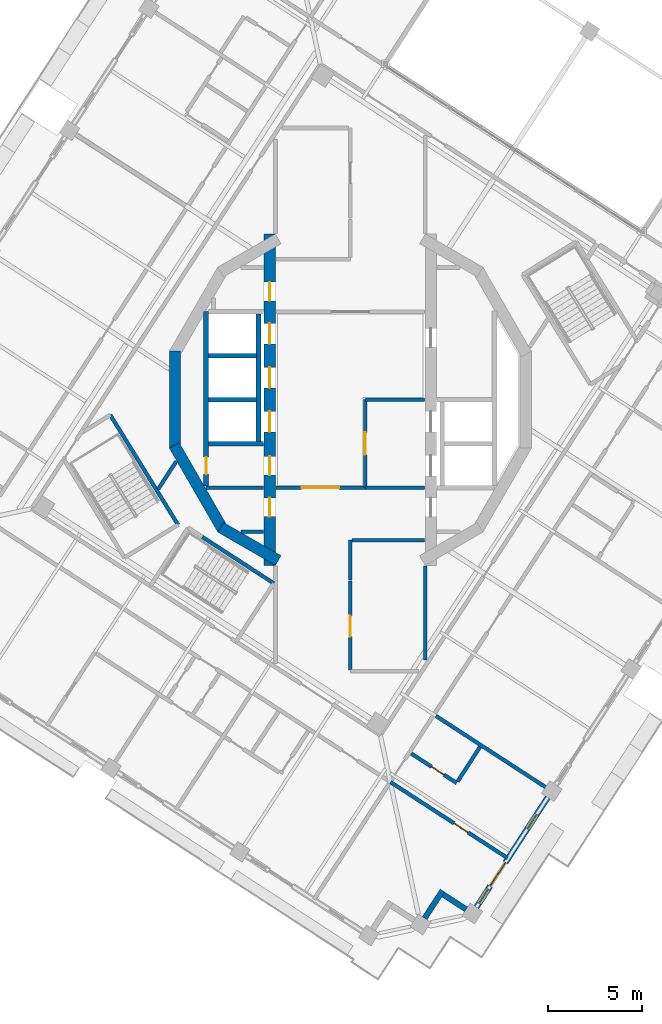
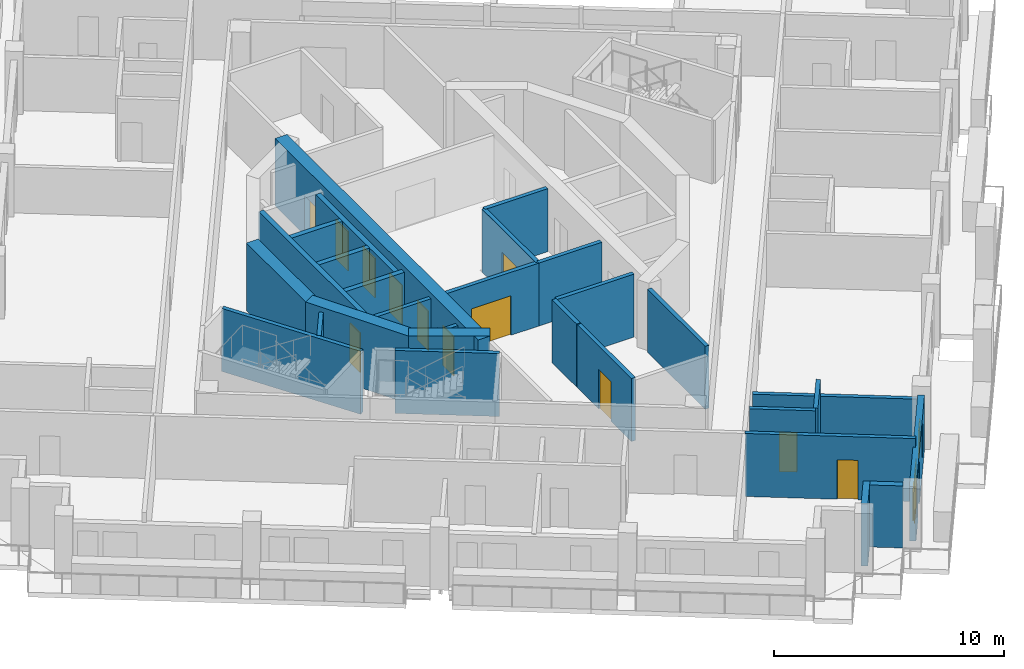
# One storey, part 7 of 17: 29 walls, 13 doors, 2 windows, 15 openings.
"""IFC4 building model written with IfcOpenShell, lengths in metres."""

from ifc_helpers import new_model, si_unit, direction, frame, frame_2d, origin, place, context, subcontext, project, spatial, rectangle, extrude, material, layer, layer_set, type_object, element, fill, save


model = new_model("IFC4")

# Units and contexts
model_context = context("Model", 3, precision=1e-05, world=origin(), true_north=direction((0.0, 1.0)))
body_context = subcontext(model_context, "Body", "Model", "MODEL_VIEW")
ifc_project = project(units=[si_unit("LENGTHUNIT", "METRE"), si_unit("AREAUNIT", "SQUARE_METRE"), si_unit("VOLUMEUNIT", "CUBIC_METRE"), si_unit("PLANEANGLEUNIT", "RADIAN"), si_unit("MASSUNIT", "GRAM", prefix="KILO")], contexts=[model_context])

# Site, building, storey
site_placement = place(None, origin())
site = spatial("IfcSite", under=ifc_project, at=site_placement, CompositionType="ELEMENT")
building_placement = place(site_placement, origin())
building = spatial("IfcBuilding", under=site, at=building_placement, Name="Cantera Rosa Tower", CompositionType="ELEMENT")
storey_placement = place(building_placement, frame((0.0, 0.0, 279.300048828125)))
storey = spatial("IfcBuildingStorey", under=building, at=storey_placement, Name="L63", CompositionType="ELEMENT", Elevation=279.300048828125)

# Wall, opening, door
ifc_material_1 = material(Name="Gypsum board partition")
ifc_layer_1 = layer(ifc_material_1, 0.199951171875)
ifc_layer_set_1 = layer_set([ifc_layer_1], Name="CORRIDOR WALL 200 H3350")
wall_type_1 = type_object("IfcWallType", Name="CORRIDOR WALL 200 H3350", PredefinedType="PARTITIONING", material=ifc_layer_set_1)
wall_1_placement = place(storey_placement, frame((0.0, -9.689208984375, 0.0), z_axis=(0.0, 0.0, 1.0), x_axis=(0.0, -1.0, 0.0)))
wall_1 = element("IfcWall", 1, at=wall_1_placement, inside=storey, type_object=wall_type_1, Name="CORRIDOR WALL L63-055", PredefinedType="PARTITIONING", context=body_context, shape_type="SweptSolid", body=[
    extrude(rectangle(XDim=4.730712890625, YDim=0.199951171875, at=frame_2d((2.365234375, 0.0))), origin(), (0.0, 0.0, 1.0), 3.349853515625),
])
opening_1_placement = place(wall_1_placement, frame((1.85546875, 0.0, 0.0)))
opening_1 = element("IfcOpeningElement", 2, at=opening_1_placement, cuts=wall_1, Name="Opening L63-014", PredefinedType="OPENING", context=body_context, shape_type="SweptSolid", body=[
    extrude(rectangle(XDim=1.10009765625, YDim=2.10009765625, at=frame_2d((0.550048828125, 1.050048828125))), frame((0.0, 0.10986328125, 0.0), z_axis=(0.0, -1.0, 0.0), x_axis=(1.0, 0.0, 0.0)), (0.0, 0.0, 1.0), 0.219970703125),
])
ifc_material_2 = material(Name="Timber door leaf", Category="wood")
door_type_1 = type_object("IfcDoorType", Name="ROOM DOOR 1100x2100", OperationType="NOTDEFINED", PredefinedType="DOOR", material=ifc_material_2)
door_1_placement = place(opening_1_placement, origin())
door_1 = element("IfcDoor", 3, at=door_1_placement, inside=storey, type_object=door_type_1, Name="DOOR L63-014", OperationType="NOTDEFINED", OverallHeight=2.10009765625, OverallWidth=1.10009765625, PredefinedType="DOOR", context=body_context, shape_type="SweptSolid", body=[
    extrude(rectangle(XDim=1.10009765625, YDim=2.10009765625, at=frame_2d((0.550048828125, 1.050048828125))), frame((0.0, 0.02490234375, 0.0), z_axis=(0.0, -1.0, 0.0), x_axis=(1.0, 0.0, 0.0)), (0.0, 0.0, 1.0), 0.050048828125),
])
fill(opening_1, door_1)

# Wall
wall_2_placement = place(storey_placement, frame((0.0, -7.5, 0.0), z_axis=(0.0, 0.0, 1.0), x_axis=(0.0, -1.0, 0.0)))
element("IfcWall", 4, at=wall_2_placement, inside=storey, type_object=wall_type_1, Name="CORRIDOR WALL L63-056", PredefinedType="PARTITIONING", context=body_context, shape_type="SweptSolid", body=[
    extrude(rectangle(XDim=2.12939453125, YDim=0.199951171875, at=frame_2d((1.064697265625, 0.0))), origin(), (0.0, 0.0, 1.0), 3.349853515625),
])

# Wall, opening, door
wall_3_placement = place(storey_placement, frame((0.800048828125, -4.699951171875, 0.0), z_axis=(0.0, 0.0, 1.0), x_axis=(-1.0, 0.0, 0.0)))
wall_3 = element("IfcWall", 5, at=wall_3_placement, inside=storey, type_object=wall_type_1, Name="CORRIDOR WALL L63-060", PredefinedType="PARTITIONING", context=body_context, shape_type="SweptSolid", body=[
    extrude(rectangle(XDim=4.77001953125, YDim=0.199951171875, at=frame_2d((2.385009765625, 0.0))), origin(), (0.0, 0.0, 1.0), 3.349853515625),
])
opening_2_placement = place(wall_3_placement, frame((1.39990234375, 0.0, 0.0)))
opening_2 = element("IfcOpeningElement", 6, at=opening_2_placement, cuts=wall_3, Name="Opening L63-011", PredefinedType="OPENING", context=body_context, shape_type="SweptSolid", body=[
    extrude(rectangle(XDim=2.0, YDim=2.10009765625, at=frame_2d((1.0, 1.050048828125))), frame((0.0, 0.10986328125, 0.0), z_axis=(0.0, -1.0, 0.0), x_axis=(1.0, 0.0, 0.0)), (0.0, 0.0, 1.0), 0.219970703125),
])
ifc_material_3 = material(Name="Steel S355J2 (EN 10025-2)", Category="steel")
door_type_2 = type_object("IfcDoorType", Name="LOBBY SCREEN DOOR 2000x2100", OperationType="NOTDEFINED", PredefinedType="DOOR", material=ifc_material_3)
door_2_placement = place(opening_2_placement, origin())
door_2 = element("IfcDoor", 7, at=door_2_placement, inside=storey, type_object=door_type_2, Name="DOOR L63-011", OperationType="NOTDEFINED", OverallHeight=2.10009765625, OverallWidth=2.0, PredefinedType="DOOR", context=body_context, shape_type="SweptSolid", body=[
    extrude(rectangle(XDim=2.0, YDim=2.10009765625, at=frame_2d((1.0, 1.050048828125))), frame((0.0, 0.02490234375, 0.0), z_axis=(0.0, -1.0, 0.0), x_axis=(1.0, 0.0, 0.0)), (0.0, 0.0, 1.0), 0.050048828125),
])
fill(opening_2, door_2)

# Walls
wall_4_placement = place(storey_placement, frame((3.969970703125, -7.5, 0.0), z_axis=(0.0, 0.0, 1.0), x_axis=(-1.0, 0.0, 0.0)))
element("IfcWall", 8, at=wall_4_placement, inside=storey, type_object=wall_type_1, Name="CORRIDOR WALL L63-066", PredefinedType="PARTITIONING", context=body_context, shape_type="SweptSolid", body=[
    extrude(rectangle(XDim=3.869873046875, YDim=0.199951171875, at=frame_2d((1.93505859375, 0.0))), origin(), (0.0, 0.0, 1.0), 3.349853515625),
])
ifc_material_4 = material(Name="Hollow clay masonry with cantera stone cladding", Category="masonry")
ifc_layer_2 = layer(ifc_material_4, 0.300048828125)
ifc_layer_set_2 = layer_set([ifc_layer_2], Name="EW-LOGGIA 300")
wall_type_2 = type_object("IfcWallType", Name="EW-LOGGIA 300", PredefinedType="SOLIDWALL", material=ifc_layer_set_2)
wall_5_placement = place(storey_placement, frame((3.966796875, -27.67529296875, 0.0), z_axis=(0.0, 0.0, 1.0), x_axis=(0.544679362749, 0.83864437743, 0.0)))
element("IfcWall", 9, at=wall_5_placement, inside=storey, type_object=wall_type_2, Name="EN-L63-W19a", PredefinedType="SOLIDWALL", context=body_context, shape_type="SweptSolid", body=[
    extrude(rectangle(XDim=1.75, YDim=0.300048828125, at=frame_2d((0.875, 0.0))), origin(), (0.0, 0.0, 1.0), 3.300048828125),
])
wall_6_placement = place(storey_placement, frame((4.964111328125, -26.415283203125, 0.0), z_axis=(0.0, 0.0, 1.0), x_axis=(0.838724343483, -0.544556218997, 0.0)))
element("IfcWall", 10, at=wall_6_placement, inside=storey, type_object=wall_type_2, Name="EN-L63-W19b", PredefinedType="SOLIDWALL", context=body_context, shape_type="SweptSolid", body=[
    extrude(rectangle(XDim=1.449951171875, YDim=0.300048828125, at=frame_2d((0.72509765625, 0.0))), origin(), (0.0, 0.0, 1.0), 3.300048828125),
])

# Wall, openings, windows, door
ifc_material_5 = material(Name="Hollow clay masonry with cantera stone cladding", Category="masonry")
ifc_layer_3 = layer(ifc_material_5, 0.300048828125)
ifc_layer_set_3 = layer_set([ifc_layer_3], Name="EW-LOGGIA 300 H2890")
wall_type_3 = type_object("IfcWallType", Name="EW-LOGGIA 300 H2890", PredefinedType="SOLIDWALL", material=ifc_layer_set_3)
wall_7_placement = place(storey_placement, frame((6.7333984375, -27.08740234375, 0.0), z_axis=(0.0, 0.0, 1.0), x_axis=(0.544651451949, 0.838662504164, 0.0)))
wall_7 = element("IfcWall", 11, at=wall_7_placement, inside=storey, type_object=wall_type_3, Name="EN-L63-W20", PredefinedType="SOLIDWALL", context=body_context, shape_type="SweptSolid", body=[
    extrude(rectangle(XDim=6.980224609375, YDim=0.300048828125, at=frame_2d((3.490234375, 0.0))), origin(), (0.0, 0.0, 1.0), 2.889892578125),
])
opening_3_placement = place(wall_7_placement, frame((0.2451171875, 0.0, 0.89990234375)))
opening_3 = element("IfcOpeningElement", 12, at=opening_3_placement, cuts=wall_7, Name="Opening L63-W34", PredefinedType="OPENING", context=body_context, shape_type="SweptSolid", body=[
    extrude(rectangle(XDim=0.89990234375, YDim=1.5, at=frame_2d((0.449951171875, 0.75))), frame((0.0, 0.159912109375, 0.0), z_axis=(0.0, -1.0, 0.0), x_axis=(1.0, 0.0, 0.0)), (0.0, 0.0, 1.0), 0.320068359375),
])
opening_4_placement = place(wall_7_placement, frame((1.344970703125, 0.0, 0.0)))
opening_4 = element("IfcOpeningElement", 13, at=opening_4_placement, cuts=wall_7, Name="Opening L63-TD35", PredefinedType="OPENING", context=body_context, shape_type="SweptSolid", body=[
    extrude(rectangle(XDim=1.5, YDim=2.39990234375, at=frame_2d((0.75, 1.199951171875))), frame((0.0, 0.159912109375, 0.0), z_axis=(0.0, -1.0, 0.0), x_axis=(1.0, 0.0, 0.0)), (0.0, 0.0, 1.0), 0.320068359375),
])
opening_5_placement = place(wall_7_placement, frame((4.985107421875, 0.0, 0.89990234375)))
opening_5 = element("IfcOpeningElement", 14, at=opening_5_placement, cuts=wall_7, Name="Opening L63-W36", PredefinedType="OPENING", context=body_context, shape_type="SweptSolid", body=[
    extrude(rectangle(XDim=0.89990234375, YDim=1.5, at=frame_2d((0.449951171875, 0.75))), frame((0.0, 0.159912109375, 0.0), z_axis=(0.0, -1.0, 0.0), x_axis=(1.0, 0.0, 0.0)), (0.0, 0.0, 1.0), 0.320068359375),
])
ifc_material_6 = material(Name="Aluminium frame with clear glass", Category="aluminium")
window_type = type_object("IfcWindowType", Name="Residential window 900x1500", PartitioningType="SINGLE_PANEL", PredefinedType="WINDOW", material=ifc_material_6)
window_1_placement = place(opening_3_placement, origin())
window_1 = element("IfcWindow", 15, at=window_1_placement, inside=storey, type_object=window_type, Name="WINDOW L63-W34", OverallHeight=1.5, OverallWidth=0.89990234375, PartitioningType="SINGLE_PANEL", PredefinedType="WINDOW", context=body_context, shape_type="SweptSolid", body=[
    extrude(rectangle(XDim=0.89990234375, YDim=1.5, at=frame_2d((0.449951171875, 0.75))), frame((0.0, 0.030029296875, 0.0), z_axis=(0.0, -1.0, 0.0), x_axis=(1.0, 0.0, 0.0)), (0.0, 0.0, 1.0), 0.06005859375),
])
fill(opening_3, window_1)
window_2_placement = place(opening_5_placement, origin())
window_2 = element("IfcWindow", 16, at=window_2_placement, inside=storey, type_object=window_type, Name="WINDOW L63-W36", OverallHeight=1.5, OverallWidth=0.89990234375, PartitioningType="SINGLE_PANEL", PredefinedType="WINDOW", context=body_context, shape_type="SweptSolid", body=[
    extrude(rectangle(XDim=0.89990234375, YDim=1.5, at=frame_2d((0.449951171875, 0.75))), frame((0.0, 0.030029296875, 0.0), z_axis=(0.0, -1.0, 0.0), x_axis=(1.0, 0.0, 0.0)), (0.0, 0.0, 1.0), 0.06005859375),
])
fill(opening_5, window_2)
ifc_material_7 = material(Name="Aluminium frame with clear glass", Category="aluminium")
door_type_3 = type_object("IfcDoorType", Name="TD-R 1500x2400", OperationType="NOTDEFINED", PredefinedType="DOOR", material=ifc_material_7)
door_3_placement = place(opening_4_placement, origin())
door_3 = element("IfcDoor", 17, at=door_3_placement, inside=storey, type_object=door_type_3, Name="LOGGIA DOOR L63-TD35", OperationType="SLIDING_TO_LEFT", OverallHeight=2.39990234375, OverallWidth=1.5, PredefinedType="DOOR", context=body_context, shape_type="SweptSolid", body=[
    extrude(rectangle(XDim=1.5, YDim=2.39990234375, at=frame_2d((0.75, 1.199951171875))), frame((0.0, 0.02490234375, 0.0), z_axis=(0.0, -1.0, 0.0), x_axis=(1.0, 0.0, 0.0)), (0.0, 0.0, 1.0), 0.050048828125),
])
fill(opening_4, door_3)

# Walls
ifc_material_8 = material(Name="Gypsum board partition")
ifc_layer_4 = layer(ifc_material_8, 0.199951171875)
ifc_layer_set_4 = layer_set([ifc_layer_4], Name="PARTITION 200 H3350")
wall_type_4 = type_object("IfcWallType", Name="PARTITION 200 H3350", PredefinedType="PARTITIONING", material=ifc_layer_set_4)
wall_8_placement = place(storey_placement, frame((-9.289794921875, -3.288330078125, 0.0), z_axis=(0.0, 0.0, 1.0), x_axis=(-0.544602939067, -0.838694007824, 0.0)))
element("IfcWall", 18, at=wall_8_placement, inside=storey, type_object=wall_type_4, Name="PARTITION L63-019", PredefinedType="PARTITIONING", context=body_context, shape_type="SweptSolid", body=[
    extrude(rectangle(XDim=1.781494140625, YDim=0.199951171875, at=frame_2d((0.890625, 0.0))), origin(), (0.0, 0.0, 1.0), 3.349853515625),
])
wall_9_placement = place(storey_placement, frame((-7.699951171875, -4.699951171875, 0.0), z_axis=(0.0, 0.0, 1.0), x_axis=(1.0, 0.0, 0.0)))
element("IfcWall", 19, at=wall_9_placement, inside=storey, type_object=wall_type_4, Name="PARTITION L63-026", PredefinedType="PARTITIONING", context=body_context, shape_type="SweptSolid", body=[
    extrude(rectangle(XDim=3.070068359375, YDim=0.199951171875, at=frame_2d((1.53515625, 0.0))), origin(), (0.0, 0.0, 1.0), 3.349853515625),
])
wall_10_placement = place(storey_placement, frame((-4.6298828125, -7.050048828125, 0.0), z_axis=(0.0, 0.0, 1.0), x_axis=(-1.0, 0.0, 0.0)))
element("IfcWall", 20, at=wall_10_placement, inside=storey, type_object=wall_type_4, Name="PARTITION L63-040", PredefinedType="PARTITIONING", context=body_context, shape_type="SweptSolid", body=[
    extrude(rectangle(XDim=1.2177734375, YDim=0.199951171875, at=frame_2d((0.60888671875, 0.0))), origin(), (0.0, 0.0, 1.0), 3.349853515625),
])

# Wall, opening, door
wall_11_placement = place(storey_placement, frame((2.148681640625, -20.41357421875, 0.0), z_axis=(0.0, 0.0, 1.0), x_axis=(0.83866516607, -0.544647353083, 0.0)))
wall_11 = element("IfcWall", 21, at=wall_11_placement, inside=storey, type_object=wall_type_4, Name="PARTITION L63-064", PredefinedType="PARTITIONING", context=body_context, shape_type="SweptSolid", body=[
    extrude(rectangle(XDim=7.449951171875, YDim=0.199951171875, at=frame_2d((3.72509765625, 0.0))), origin(), (0.0, 0.0, 1.0), 3.349853515625),
])
opening_6_placement = place(wall_11_placement, frame((4.030029296875, 0.0, 0.0)))
opening_6 = element("IfcOpeningElement", 22, at=opening_6_placement, cuts=wall_11, Name="Opening L63-047", PredefinedType="OPENING", context=body_context, shape_type="SweptSolid", body=[
    extrude(rectangle(XDim=0.89990234375, YDim=2.10009765625, at=frame_2d((0.449951171875, 1.050048828125))), frame((0.0, 0.10986328125, 0.0), z_axis=(0.0, -1.0, 0.0), x_axis=(1.0, 0.0, 0.0)), (0.0, 0.0, 1.0), 0.219970703125),
])
ifc_material_9 = material(Name="Timber door leaf", Category="wood")
door_type_4 = type_object("IfcDoorType", Name="ROOM DOOR 900x2100", OperationType="NOTDEFINED", PredefinedType="DOOR", material=ifc_material_9)
door_4_placement = place(opening_6_placement, origin())
door_4 = element("IfcDoor", 23, at=door_4_placement, inside=storey, type_object=door_type_4, Name="DOOR L63-047", OperationType="NOTDEFINED", OverallHeight=2.10009765625, OverallWidth=0.89990234375, PredefinedType="DOOR", context=body_context, shape_type="SweptSolid", body=[
    extrude(rectangle(XDim=0.89990234375, YDim=2.10009765625, at=frame_2d((0.449951171875, 1.050048828125))), frame((0.0, 0.02490234375, 0.0), z_axis=(0.0, -1.0, 0.0), x_axis=(1.0, 0.0, 0.0)), (0.0, 0.0, 1.0), 0.050048828125),
])
fill(opening_6, door_4)

# Wall
wall_12_placement = place(storey_placement, frame((4.0, -13.90087890625, 0.0), z_axis=(0.0, 0.0, 1.0), x_axis=(0.0, 1.0, 0.0)))
element("IfcWall", 24, at=wall_12_placement, inside=storey, type_object=wall_type_4, Name="PARTITION L63-068", PredefinedType="PARTITIONING", context=body_context, shape_type="SweptSolid", body=[
    extrude(rectangle(XDim=5.02197265625, YDim=0.199951171875, at=frame_2d((2.510986328125, 0.0))), origin(), (0.0, 0.0, 1.0), 3.349853515625),
])

# Wall, opening, door
wall_13_placement = place(storey_placement, frame((5.671875, -20.4599609375, 0.0), z_axis=(0.0, 0.0, 1.0), x_axis=(-0.838679811106, 0.544624801532, 0.0)))
wall_13 = element("IfcWall", 25, at=wall_13_placement, inside=storey, type_object=wall_type_4, Name="PARTITION L63-073", PredefinedType="PARTITIONING", context=body_context, shape_type="SweptSolid", body=[
    extrude(rectangle(XDim=2.880126953125, YDim=0.199951171875, at=frame_2d((1.43994140625, 0.0))), origin(), (0.0, 0.0, 1.0), 3.349853515625),
])
opening_7_placement = place(wall_13_placement, frame((0.800048828125, 0.0, 0.0)))
opening_7 = element("IfcOpeningElement", 26, at=opening_7_placement, cuts=wall_13, Name="Opening L63-046", PredefinedType="OPENING", context=body_context, shape_type="SweptSolid", body=[
    extrude(rectangle(XDim=0.800048828125, YDim=2.10009765625, at=frame_2d((0.39990234375, 1.050048828125))), frame((0.0, 0.10986328125, 0.0), z_axis=(0.0, -1.0, 0.0), x_axis=(1.0, 0.0, 0.0)), (0.0, 0.0, 1.0), 0.219970703125),
])
ifc_material_10 = material(Name="Timber door leaf", Category="wood")
door_type_5 = type_object("IfcDoorType", Name="BATHROOM DOOR 800x2100", OperationType="NOTDEFINED", PredefinedType="DOOR", material=ifc_material_10)
door_5_placement = place(opening_7_placement, origin())
door_5 = element("IfcDoor", 27, at=door_5_placement, inside=storey, type_object=door_type_5, Name="DOOR L63-046", OperationType="NOTDEFINED", OverallHeight=2.10009765625, OverallWidth=0.800048828125, PredefinedType="DOOR", context=body_context, shape_type="SweptSolid", body=[
    extrude(rectangle(XDim=0.800048828125, YDim=2.10009765625, at=frame_2d((0.39990234375, 1.050048828125))), frame((0.0, 0.02490234375, 0.0), z_axis=(0.0, -1.0, 0.0), x_axis=(1.0, 0.0, 0.0)), (0.0, 0.0, 1.0), 0.050048828125),
])
fill(opening_7, door_5)

# Walls
wall_14_placement = place(storey_placement, frame((6.924560546875, -18.531005859375, 0.0), z_axis=(0.0, 0.0, 1.0), x_axis=(-0.544672350866, -0.838648931438, 0.0)))
element("IfcWall", 28, at=wall_14_placement, inside=storey, type_object=wall_type_4, Name="PARTITION L63-076", PredefinedType="PARTITIONING", context=body_context, shape_type="SweptSolid", body=[
    extrude(rectangle(XDim=2.199951171875, YDim=0.199951171875, at=frame_2d((1.10009765625, 0.0))), origin(), (0.0, 0.0, 1.0), 3.349853515625),
])
ifc_material_11 = material(Name="Gypsum board partition")
ifc_layer_5 = layer(ifc_material_11, 0.199951171875)
ifc_layer_set_5 = layer_set([ifc_layer_5], Name="PARTY WALL 200 H2450")
wall_type_5 = type_object("IfcWallType", Name="PARTY WALL 200 H2450", PredefinedType="PARTITIONING", material=ifc_layer_set_5)
wall_15_placement = place(storey_placement, frame((10.727783203125, -20.881591796875, 0.0), z_axis=(0.0, 0.0, 1.0), x_axis=(-0.838659080818, 0.544656723232, 0.0)))
element("IfcWall", 29, at=wall_15_placement, inside=storey, type_object=wall_type_5, Name="PARTY WALL L63-082", PredefinedType="PARTITIONING", context=body_context, shape_type="SweptSolid", body=[
    extrude(rectangle(XDim=7.349853515625, YDim=0.199951171875, at=frame_2d((3.6748046875, 0.0))), origin(), (0.0, 0.0, 1.0), 2.449951171875),
])
ifc_material_12 = material(Name="Concrete C50/60", Category="concrete")
ifc_layer_6 = layer(ifc_material_12, 0.60009765625)
ifc_layer_set_6 = layer_set([ifc_layer_6], Name="RC CORE WALL 600 C50/60")
wall_type_6 = type_object("IfcWallType", Name="RC CORE WALL 600 C50/60", PredefinedType="SHEAR", material=ifc_layer_set_6)
wall_16_placement = place(storey_placement, frame((-3.85009765625, -8.584228515625, 0.0), z_axis=(0.0, 0.0, 1.0), x_axis=(-0.866039982607, 0.499974747889, 0.0)))
element("IfcWall", 30, at=wall_16_placement, inside=storey, type_object=wall_type_6, Name="CW-W1 L63", PredefinedType="SHEAR", context=body_context, shape_type="SweptSolid", body=[
    extrude(rectangle(XDim=3.546142578125, YDim=0.60009765625, at=frame_2d((1.77294921875, 0.0))), origin(), (0.0, 0.0, 1.0), 3.599853515625),
])
for number, where, z_axis, x_axis, name in (
    (31, (-6.811279296875, -6.921142578125, 0.0), (0.0, 0.0, 1.0), (-0.499989188378, 0.866031645787, 0.0), "CW-W2 L63"),
    (32, (-9.359375, -2.588134765625, 0.0), (0.0, 0.0, 1.0), (0.0, 1.0, 0.0), "CW-W3 L63"),
):
    element("IfcWall", number, at=place(storey_placement, frame(where, z_axis=z_axis, x_axis=x_axis)), inside=storey, type_object=wall_type_6, Name=name, PredefinedType="SHEAR", context=body_context, shape_type="SweptSolid", body=[
        extrude(rectangle(XDim=5.17626953125, YDim=0.60009765625, at=frame_2d((2.588134765625, 0.0))), origin(), (0.0, 0.0, 1.0), 3.599853515625),
    ])

# Wall, openings, doors
wall_17_placement = place(storey_placement, frame((-4.300048828125, 8.84423828125, 0.0), z_axis=(0.0, 0.0, 1.0), x_axis=(0.0, -1.0, 0.0)))
wall_17 = element("IfcWall", 33, at=wall_17_placement, inside=storey, type_object=wall_type_6, Name="CW-W6 L63", PredefinedType="SHEAR", context=body_context, shape_type="SweptSolid", body=[
    extrude(rectangle(XDim=17.6884765625, YDim=0.60009765625, at=frame_2d((8.84423828125, 0.0))), origin(), (0.0, 0.0, 1.0), 3.599853515625),
])
opening_8_placement = place(wall_17_placement, frame((9.468994140625, 0.0, 0.0)))
opening_8 = element("IfcOpeningElement", 34, at=opening_8_placement, cuts=wall_17, Name="Opening LD-H1-L63", PredefinedType="OPENING", context=body_context, shape_type="SweptSolid", body=[
    extrude(rectangle(XDim=1.10009765625, YDim=2.10009765625, at=frame_2d((0.550048828125, 1.050048828125))), frame((0.0, 0.31005859375, 0.0), z_axis=(0.0, -1.0, 0.0), x_axis=(1.0, 0.0, 0.0)), (0.0, 0.0, 1.0), 0.6201171875),
])
opening_9_placement = place(wall_17_placement, frame((7.119140625, 0.0, 0.0)))
opening_9 = element("IfcOpeningElement", 35, at=opening_9_placement, cuts=wall_17, Name="Opening LD-H2-L63", PredefinedType="OPENING", context=body_context, shape_type="SweptSolid", body=[
    extrude(rectangle(XDim=1.10009765625, YDim=2.10009765625, at=frame_2d((0.550048828125, 1.050048828125))), frame((0.0, 0.31005859375, 0.0), z_axis=(0.0, -1.0, 0.0), x_axis=(1.0, 0.0, 0.0)), (0.0, 0.0, 1.0), 0.6201171875),
])
opening_10_placement = place(wall_17_placement, frame((4.76904296875, 0.0, 0.0)))
opening_10 = element("IfcOpeningElement", 36, at=opening_10_placement, cuts=wall_17, Name="Opening LD-H3-L63", PredefinedType="OPENING", context=body_context, shape_type="SweptSolid", body=[
    extrude(rectangle(XDim=1.10009765625, YDim=2.10009765625, at=frame_2d((0.550048828125, 1.050048828125))), frame((0.0, 0.31005859375, 0.0), z_axis=(0.0, -1.0, 0.0), x_axis=(1.0, 0.0, 0.0)), (0.0, 0.0, 1.0), 0.6201171875),
])
opening_11_placement = place(wall_17_placement, frame((14.091552734375, 0.0, 0.0)))
opening_11 = element("IfcOpeningElement", 37, at=opening_11_placement, cuts=wall_17, Name="Opening SD-L63-15", PredefinedType="OPENING", context=body_context, shape_type="SweptSolid", body=[
    extrude(rectangle(XDim=1.0, YDim=2.10009765625, at=frame_2d((0.5, 1.050048828125))), frame((0.0, 0.31005859375, 0.0), z_axis=(0.0, -1.0, 0.0), x_axis=(1.0, 0.0, 0.0)), (0.0, 0.0, 1.0), 0.6201171875),
])
opening_12_placement = place(wall_17_placement, frame((2.572265625, 0.0, 0.0)))
opening_12 = element("IfcOpeningElement", 38, at=opening_12_placement, cuts=wall_17, Name="Opening SD-L63-16", PredefinedType="OPENING", context=body_context, shape_type="SweptSolid", body=[
    extrude(rectangle(XDim=1.0, YDim=2.10009765625, at=frame_2d((0.5, 1.050048828125))), frame((0.0, 0.31005859375, 0.0), z_axis=(0.0, -1.0, 0.0), x_axis=(1.0, 0.0, 0.0)), (0.0, 0.0, 1.0), 0.6201171875),
])
opening_13_placement = place(wall_17_placement, frame((11.869140625, 0.0, 0.0)))
opening_13 = element("IfcOpeningElement", 39, at=opening_13_placement, cuts=wall_17, Name="Opening SD-L63-17", PredefinedType="OPENING", context=body_context, shape_type="SweptSolid", body=[
    extrude(rectangle(XDim=1.0, YDim=2.10009765625, at=frame_2d((0.5, 1.050048828125))), frame((0.0, 0.31005859375, 0.0), z_axis=(0.0, -1.0, 0.0), x_axis=(1.0, 0.0, 0.0)), (0.0, 0.0, 1.0), 0.6201171875),
])
ifc_material_13 = material(Name="Steel S355J2 (EN 10025-2)", Category="steel")
door_type_6 = type_object("IfcDoorType", Name="LANDING DOOR 1100x2100", OperationType="NOTDEFINED", PredefinedType="DOOR", material=ifc_material_13)
door_6_placement = place(opening_8_placement, origin())
door_6 = element("IfcDoor", 40, at=door_6_placement, inside=storey, type_object=door_type_6, Name="LANDING DOOR H1 L63", OperationType="SLIDING_TO_LEFT", OverallHeight=2.10009765625, OverallWidth=1.10009765625, PredefinedType="DOOR", context=body_context, shape_type="SweptSolid", body=[
    extrude(rectangle(XDim=1.10009765625, YDim=2.10009765625, at=frame_2d((0.550048828125, 1.050048828125))), frame((0.0, 0.02490234375, 0.0), z_axis=(0.0, -1.0, 0.0), x_axis=(1.0, 0.0, 0.0)), (0.0, 0.0, 1.0), 0.050048828125),
])
fill(opening_8, door_6)
door_7_placement = place(opening_9_placement, origin())
door_7 = element("IfcDoor", 41, at=door_7_placement, inside=storey, type_object=door_type_6, Name="LANDING DOOR H2 L63", OperationType="SLIDING_TO_LEFT", OverallHeight=2.10009765625, OverallWidth=1.10009765625, PredefinedType="DOOR", context=body_context, shape_type="SweptSolid", body=[
    extrude(rectangle(XDim=1.10009765625, YDim=2.10009765625, at=frame_2d((0.550048828125, 1.050048828125))), frame((0.0, 0.02490234375, 0.0), z_axis=(0.0, -1.0, 0.0), x_axis=(1.0, 0.0, 0.0)), (0.0, 0.0, 1.0), 0.050048828125),
])
fill(opening_9, door_7)
door_8_placement = place(opening_10_placement, origin())
door_8 = element("IfcDoor", 42, at=door_8_placement, inside=storey, type_object=door_type_6, Name="LANDING DOOR H3 L63", OperationType="SLIDING_TO_LEFT", OverallHeight=2.10009765625, OverallWidth=1.10009765625, PredefinedType="DOOR", context=body_context, shape_type="SweptSolid", body=[
    extrude(rectangle(XDim=1.10009765625, YDim=2.10009765625, at=frame_2d((0.550048828125, 1.050048828125))), frame((0.0, 0.02490234375, 0.0), z_axis=(0.0, -1.0, 0.0), x_axis=(1.0, 0.0, 0.0)), (0.0, 0.0, 1.0), 0.050048828125),
])
fill(opening_10, door_8)
ifc_material_14 = material(Name="Timber door leaf", Category="wood")
door_type_7 = type_object("IfcDoorType", Name="SERVICE DOOR 1000x2100", OperationType="NOTDEFINED", PredefinedType="DOOR", material=ifc_material_14)
door_9_placement = place(opening_11_placement, origin())
door_9 = element("IfcDoor", 43, at=door_9_placement, inside=storey, type_object=door_type_7, Name="DOOR L63-SD15", OperationType="NOTDEFINED", OverallHeight=2.10009765625, OverallWidth=1.0, PredefinedType="DOOR", context=body_context, shape_type="SweptSolid", body=[
    extrude(rectangle(XDim=1.0, YDim=2.10009765625, at=frame_2d((0.5, 1.050048828125))), frame((0.0, 0.02490234375, 0.0), z_axis=(0.0, -1.0, 0.0), x_axis=(1.0, 0.0, 0.0)), (0.0, 0.0, 1.0), 0.050048828125),
])
fill(opening_11, door_9)
door_10_placement = place(opening_12_placement, origin())
door_10 = element("IfcDoor", 44, at=door_10_placement, inside=storey, type_object=door_type_7, Name="DOOR L63-SD16", OperationType="NOTDEFINED", OverallHeight=2.10009765625, OverallWidth=1.0, PredefinedType="DOOR", context=body_context, shape_type="SweptSolid", body=[
    extrude(rectangle(XDim=1.0, YDim=2.10009765625, at=frame_2d((0.5, 1.050048828125))), frame((0.0, 0.02490234375, 0.0), z_axis=(0.0, -1.0, 0.0), x_axis=(1.0, 0.0, 0.0)), (0.0, 0.0, 1.0), 0.050048828125),
])
fill(opening_12, door_10)
door_11_placement = place(opening_13_placement, origin())
door_11 = element("IfcDoor", 45, at=door_11_placement, inside=storey, type_object=door_type_7, Name="DOOR L63-SD17", OperationType="NOTDEFINED", OverallHeight=2.10009765625, OverallWidth=1.0, PredefinedType="DOOR", context=body_context, shape_type="SweptSolid", body=[
    extrude(rectangle(XDim=1.0, YDim=2.10009765625, at=frame_2d((0.5, 1.050048828125))), frame((0.0, 0.02490234375, 0.0), z_axis=(0.0, -1.0, 0.0), x_axis=(1.0, 0.0, 0.0)), (0.0, 0.0, 1.0), 0.050048828125),
])
fill(opening_13, door_11)

# Walls
ifc_material_15 = material(Name="Masonry blockwork", Category="masonry")
ifc_layer_7 = layer(ifc_material_15, 0.25)
ifc_layer_set_7 = layer_set([ifc_layer_7], Name="SHAFT WALL 250 H3350")
wall_type_7 = type_object("IfcWallType", Name="SHAFT WALL 250 H3350", PredefinedType="SOLIDWALL", material=ifc_layer_set_7)
for number, where, z_axis, x_axis, name in (
    (46, (-7.574951171875, 0.0, 0.0), (0.0, 0.0, 1.0), (1.0, 0.0, 0.0), "SHAFT WALL L63-027"),
    (47, (-7.574951171875, 2.35009765625, 0.0), (0.0, 0.0, 1.0), (1.0, 0.0, 0.0), "SHAFT WALL L63-028"),
):
    element("IfcWall", number, at=place(storey_placement, frame(where, z_axis=z_axis, x_axis=x_axis)), inside=storey, type_object=wall_type_7, Name=name, PredefinedType="SOLIDWALL", context=body_context, shape_type="SweptSolid", body=[
        extrude(rectangle(XDim=2.554931640625, YDim=0.25, at=frame_2d((1.27734375, 0.0))), origin(), (0.0, 0.0, 1.0), 3.349853515625),
    ])

# Wall, opening, door
wall_18_placement = place(storey_placement, frame((-7.699951171875, 4.699951171875, 0.0), z_axis=(0.0, 0.0, 1.0), x_axis=(0.0, -1.0, 0.0)))
wall_18 = element("IfcWall", 48, at=wall_18_placement, inside=storey, type_object=wall_type_7, Name="SHAFT WALL L63-029", PredefinedType="SOLIDWALL", context=body_context, shape_type="SweptSolid", body=[
    extrude(rectangle(XDim=9.320068359375, YDim=0.25, at=frame_2d((4.66015625, 0.0))), origin(), (0.0, 0.0, 1.0), 3.349853515625),
])
opening_14_placement = place(wall_18_placement, frame((7.7705078125, 0.0, 0.0)))
opening_14 = element("IfcOpeningElement", 49, at=opening_14_placement, cuts=wall_18, Name="Opening L63-052", PredefinedType="OPENING", context=body_context, shape_type="SweptSolid", body=[
    extrude(rectangle(XDim=0.89990234375, YDim=2.10009765625, at=frame_2d((0.449951171875, 1.050048828125))), frame((0.0, 0.135009765625, 0.0), z_axis=(0.0, -1.0, 0.0), x_axis=(1.0, 0.0, 0.0)), (0.0, 0.0, 1.0), 0.27001953125),
])
ifc_material_16 = material(Name="Timber door leaf", Category="wood")
door_type_8 = type_object("IfcDoorType", Name="SERVICE DOOR 900x2100", OperationType="NOTDEFINED", PredefinedType="DOOR", material=ifc_material_16)
door_12_placement = place(opening_14_placement, origin())
door_12 = element("IfcDoor", 50, at=door_12_placement, inside=storey, type_object=door_type_8, Name="RISER DOOR L63-052", OperationType="NOTDEFINED", OverallHeight=2.10009765625, OverallWidth=0.89990234375, PredefinedType="DOOR", context=body_context, shape_type="SweptSolid", body=[
    extrude(rectangle(XDim=0.89990234375, YDim=2.10009765625, at=frame_2d((0.449951171875, 1.050048828125))), frame((0.0, 0.02490234375, 0.0), z_axis=(0.0, -1.0, 0.0), x_axis=(1.0, 0.0, 0.0)), (0.0, 0.0, 1.0), 0.050048828125),
])
fill(opening_14, door_12)

# Walls
wall_19_placement = place(storey_placement, frame((-4.89990234375, -2.22509765625, 0.0), z_axis=(0.0, 0.0, 1.0), x_axis=(0.0, 1.0, 0.0)))
element("IfcWall", 51, at=wall_19_placement, inside=storey, type_object=wall_type_7, Name="SHAFT WALL L63-039", PredefinedType="SOLIDWALL", context=body_context, shape_type="SweptSolid", body=[
    extrude(rectangle(XDim=6.800048828125, YDim=0.25, at=frame_2d((3.39990234375, 0.0))), origin(), (0.0, 0.0, 1.0), 3.349853515625),
])
wall_20_placement = place(storey_placement, frame((-4.6298828125, -2.35009765625, 0.0), z_axis=(0.0, 0.0, 1.0), x_axis=(-1.0, 0.0, 0.0)))
element("IfcWall", 52, at=wall_20_placement, inside=storey, type_object=wall_type_7, Name="SHAFT WALL L63-041", PredefinedType="SOLIDWALL", context=body_context, shape_type="SweptSolid", body=[
    extrude(rectangle(XDim=2.945068359375, YDim=0.25, at=frame_2d((1.47265625, 0.0))), origin(), (0.0, 0.0, 1.0), 3.349853515625),
])
ifc_material_17 = material(Name="Concrete C50/60", Category="concrete")
ifc_layer_8 = layer(ifc_material_17, 0.199951171875)
ifc_layer_set_8 = layer_set([ifc_layer_8], Name="STAIR WALL 200 H3350")
wall_type_8 = type_object("IfcWallType", Name="STAIR WALL 200 H3350", PredefinedType="SOLIDWALL", material=ifc_layer_set_8)
wall_21_placement = place(storey_placement, frame((-9.199462890625, -6.674072265625, 0.0), z_axis=(0.0, 0.0, 1.0), x_axis=(-0.524972254536, 0.851119340614, 0.0)))
element("IfcWall", 53, at=wall_21_placement, inside=storey, type_object=wall_type_8, Name="STAIR WALL L63-020", PredefinedType="SOLIDWALL", context=body_context, shape_type="SweptSolid", body=[
    extrude(rectangle(XDim=6.880126953125, YDim=0.199951171875, at=frame_2d((3.43994140625, 0.0))), origin(), (0.0, 0.0, 1.0), 3.349853515625),
])

# Wall, opening, door
wall_22_placement = place(storey_placement, frame((0.800048828125, -4.699951171875, 0.0), z_axis=(0.0, 0.0, 1.0), x_axis=(0.0, 1.0, 0.0)))
wall_22 = element("IfcWall", 54, at=wall_22_placement, inside=storey, type_object=wall_type_8, Name="STAIR WALL L63-061", PredefinedType="SOLIDWALL", context=body_context, shape_type="SweptSolid", body=[
    extrude(rectangle(XDim=4.699951171875, YDim=0.199951171875, at=frame_2d((2.35009765625, 0.0))), origin(), (0.0, 0.0, 1.0), 3.349853515625),
])
opening_15_placement = place(wall_22_placement, frame((1.75, 0.0, 0.0)))
opening_15 = element("IfcOpeningElement", 55, at=opening_15_placement, cuts=wall_22, Name="Opening L63-012", PredefinedType="OPENING", context=body_context, shape_type="SweptSolid", body=[
    extrude(rectangle(XDim=1.199951171875, YDim=2.10009765625, at=frame_2d((0.60009765625, 1.050048828125))), frame((0.0, 0.10986328125, 0.0), z_axis=(0.0, -1.0, 0.0), x_axis=(1.0, 0.0, 0.0)), (0.0, 0.0, 1.0), 0.219970703125),
])
ifc_material_18 = material(Name="Steel S355J2 (EN 10025-2)", Category="steel")
door_type_9 = type_object("IfcDoorType", Name="FIRE DOOR 1200x2100", OperationType="NOTDEFINED", PredefinedType="DOOR", material=ifc_material_18)
door_13_placement = place(opening_15_placement, origin())
door_13 = element("IfcDoor", 56, at=door_13_placement, inside=storey, type_object=door_type_9, Name="DOOR L63-012", OperationType="NOTDEFINED", OverallHeight=2.10009765625, OverallWidth=1.199951171875, PredefinedType="DOOR", context=body_context, shape_type="SweptSolid", body=[
    extrude(rectangle(XDim=1.199951171875, YDim=2.10009765625, at=frame_2d((0.60009765625, 1.050048828125))), frame((0.0, 0.02490234375, 0.0), z_axis=(0.0, -1.0, 0.0), x_axis=(1.0, 0.0, 0.0)), (0.0, 0.0, 1.0), 0.050048828125),
])
fill(opening_15, door_13)

# Walls
for number, where, z_axis, x_axis, name in (
    (57, (0.800048828125, 0.0, 0.0), (0.0, 0.0, 1.0), (1.0, 0.0, 0.0), "STAIR WALL L63-062"),
    (58, (3.969970703125, -4.699951171875, 0.0), (0.0, 0.0, 1.0), (-1.0, 0.0, 0.0), "STAIR WALL L63-067"),
):
    element("IfcWall", number, at=place(storey_placement, frame(where, z_axis=z_axis, x_axis=x_axis)), inside=storey, type_object=wall_type_8, Name=name, PredefinedType="SOLIDWALL", context=body_context, shape_type="SweptSolid", body=[
        extrude(rectangle(XDim=3.169921875, YDim=0.199951171875, at=frame_2d((1.5849609375, 0.0))), origin(), (0.0, 0.0, 1.0), 3.349853515625),
    ])
wall_23_placement = place(storey_placement, frame((-7.89990234375, -7.3271484375, 0.0), z_axis=(0.0, 0.0, 1.0), x_axis=(0.8386764669, -0.544629951314, 0.0)))
element("IfcWall", 59, at=wall_23_placement, inside=storey, type_object=wall_type_8, Name="STAIR WALL L63-024 J", PredefinedType="SOLIDWALL", context=body_context, shape_type="SweptSolid", body=[
    extrude(rectangle(XDim=4.550048828125, YDim=0.199951171875, at=frame_2d((2.27490234375, 0.0))), origin(), (0.0, 0.0, 1.0), 3.349853515625),
])

save(model, "model.ifc")
